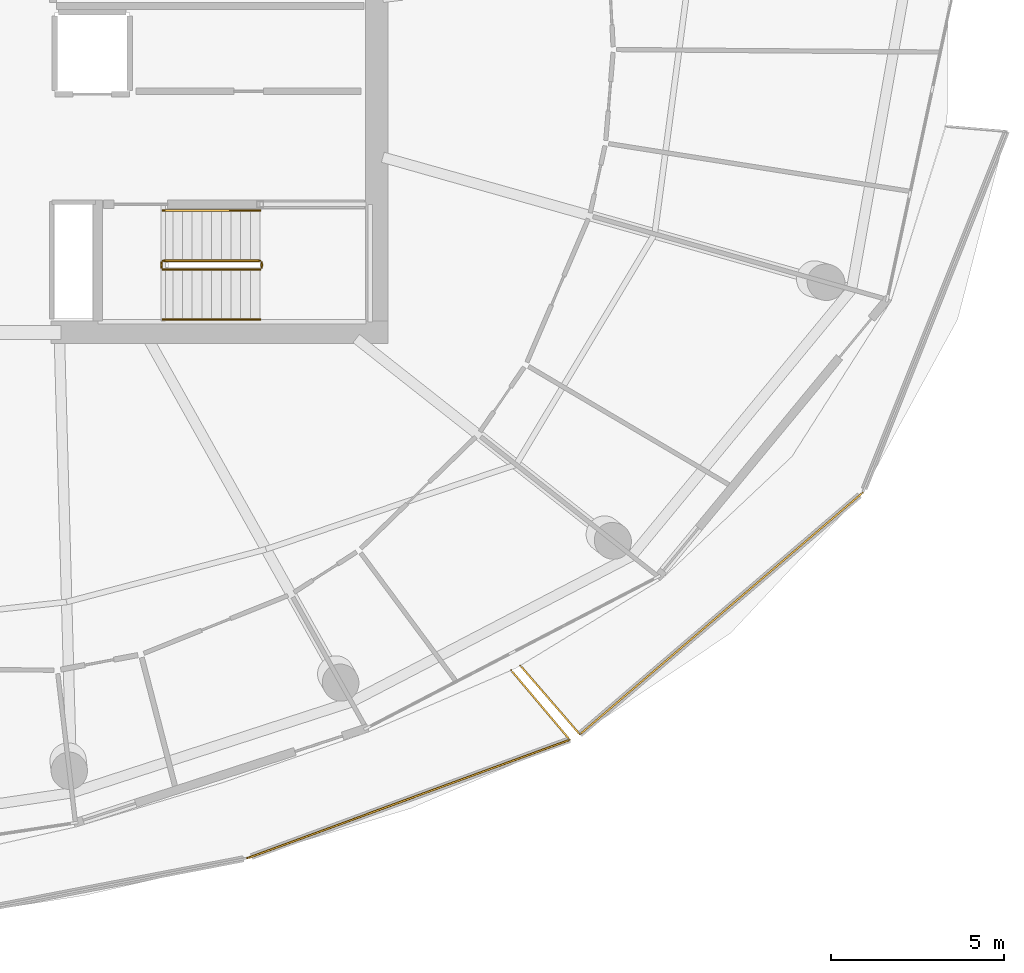
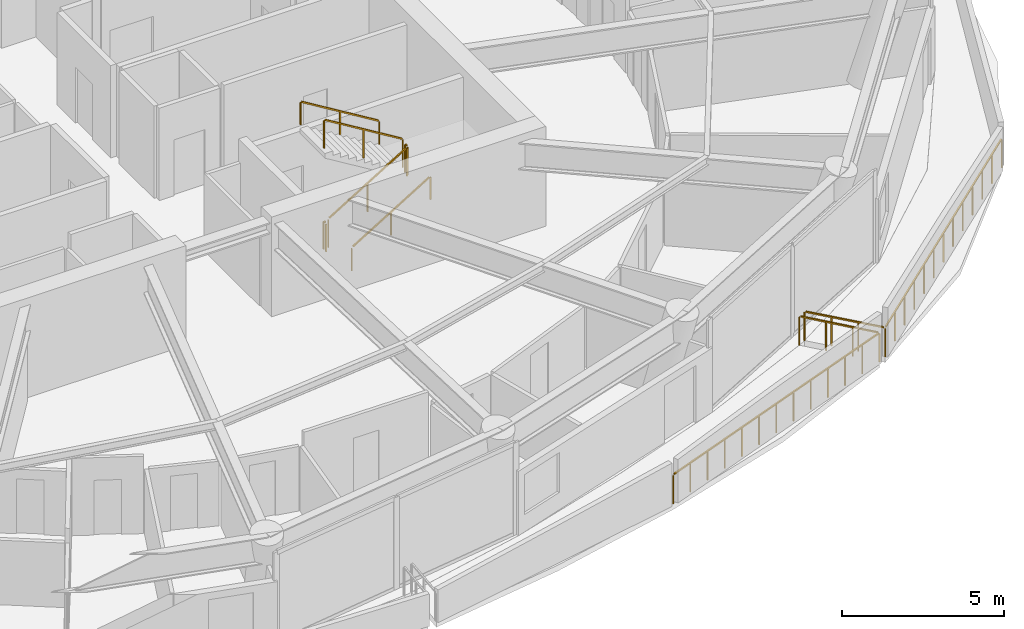
# One storey, part 18 of 20: 10 railings.
"""IFC4 building model written with IfcOpenShell, lengths in metres."""

from ifc_helpers import new_model, si_unit, direction, frame, origin, origin_2d, place, context, subcontext, project, spatial, rectangle, extrude, material, type_object, element, save


model = new_model("IFC4")

# Units and contexts
model_context = context("Model", 3, precision=1e-05, world=origin(), true_north=direction((0.0, 1.0)))
body_context = subcontext(model_context, "Body", "Model", "MODEL_VIEW")
ifc_project = project(units=[si_unit("LENGTHUNIT", "METRE"), si_unit("AREAUNIT", "SQUARE_METRE"), si_unit("VOLUMEUNIT", "CUBIC_METRE"), si_unit("PLANEANGLEUNIT", "RADIAN"), si_unit("MASSUNIT", "GRAM", prefix="KILO")], contexts=[model_context])

# Site, building, storey
site_placement = place(None, origin())
site = spatial("IfcSite", under=ifc_project, at=site_placement, CompositionType="ELEMENT")
building_placement = place(site_placement, origin())
building = spatial("IfcBuilding", under=site, at=building_placement, Name="Kazma Halo Residences", CompositionType="ELEMENT")
storey_placement = place(building_placement, frame((0.0, 0.0, 221.550048828125)))
storey = spatial("IfcBuildingStorey", under=building, at=storey_placement, Name="L56", CompositionType="ELEMENT", Elevation=221.550048828125)

# Railings
ifc_material_1 = material(Name="Aluminium AW-6063 T6 Brushed Cap Rail", Category="aluminium")
railing_type_1 = type_object("IfcRailingType", Name="RLG-BAL-CAP-1120", PredefinedType="BALUSTRADE", material=ifc_material_1)
railing_1_placement = place(storey_placement, frame((55.64306640625, 18.476806640625, 0.0)))
element("IfcRailing", 1, at=railing_1_placement, inside=storey, type_object=railing_type_1, Name="L56 SSE wave balcony guard 3", PredefinedType="BALUSTRADE", context=body_context, shape_type="SweptSolid", body=[
    extrude(rectangle(XDim=0.050048828125, YDim=0.050048828125, at=origin_2d()), frame((0.0400390625, 0.0146484375, 1.09521484375), z_axis=(0.938664070995, 0.344832947706, 0.0), x_axis=(-0.344832947706, 0.938664070995, 0.0)), (0.0, 0.0, 1.0), 9.83740234375),
    extrude(rectangle(XDim=0.0400390625, YDim=0.0400390625, at=origin_2d()), origin(), (0.0, 0.0, 1.0), 1.05810546875),
    extrude(rectangle(XDim=0.0400390625, YDim=0.0400390625, at=origin_2d()), frame((0.776123046875, 0.28515625, 0.0)), (0.0, 0.0, 1.0), 1.05810546875),
    extrude(rectangle(XDim=0.0400390625, YDim=0.0400390625, at=origin_2d()), frame((1.55224609375, 0.5703125, 0.0)), (0.0, 0.0, 1.0), 1.05810546875),
    extrude(rectangle(XDim=0.0400390625, YDim=0.0400390625, at=origin_2d()), frame((2.32861328125, 0.85546875, 0.0)), (0.0, 0.0, 1.0), 1.05810546875),
    extrude(rectangle(XDim=0.0400390625, YDim=0.0400390625, at=origin_2d()), frame((3.104736328125, 1.140625, 0.0)), (0.0, 0.0, 1.0), 1.05810546875),
    extrude(rectangle(XDim=0.0400390625, YDim=0.0400390625, at=origin_2d()), frame((3.880859375, 1.42578125, 0.0)), (0.0, 0.0, 1.0), 1.05810546875),
    extrude(rectangle(XDim=0.0400390625, YDim=0.0400390625, at=origin_2d()), frame((4.656982421875, 1.7109375, 0.0)), (0.0, 0.0, 1.0), 1.05810546875),
    extrude(rectangle(XDim=0.0400390625, YDim=0.0400390625, at=origin_2d()), frame((5.43310546875, 1.995849609375, 0.0)), (0.0, 0.0, 1.0), 1.05810546875),
    extrude(rectangle(XDim=0.0400390625, YDim=0.0400390625, at=origin_2d()), frame((6.209228515625, 2.281005859375, 0.0)), (0.0, 0.0, 1.0), 1.05810546875),
    extrude(rectangle(XDim=0.0400390625, YDim=0.0400390625, at=origin_2d()), frame((6.9853515625, 2.566162109375, 0.0)), (0.0, 0.0, 1.0), 1.05810546875),
    extrude(rectangle(XDim=0.0400390625, YDim=0.0400390625, at=origin_2d()), frame((7.76171875, 2.851318359375, 0.0)), (0.0, 0.0, 1.0), 1.05810546875),
    extrude(rectangle(XDim=0.0400390625, YDim=0.0400390625, at=origin_2d()), frame((8.537841796875, 3.136474609375, 0.0)), (0.0, 0.0, 1.0), 1.05810546875),
    extrude(rectangle(XDim=0.0400390625, YDim=0.0400390625, at=origin_2d()), frame((9.31396484375, 3.421630859375, 0.0)), (0.0, 0.0, 1.0), 1.05810546875),
])
railing_2_placement = place(storey_placement, frame((64.95703125, 21.8984375, 0.0)))
element("IfcRailing", 2, at=railing_2_placement, inside=storey, type_object=railing_type_1, Name="L56 SSE wave balcony guard 4", PredefinedType="BALUSTRADE", context=body_context, shape_type="SweptSolid", body=[
    extrude(rectangle(XDim=0.050048828125, YDim=0.050048828125, at=origin_2d()), frame((-0.02734375, 0.032470703125, 1.09521484375), z_axis=(-0.644757158035, 0.764387471877, 0.0), x_axis=(-0.764387471877, -0.644757158035, 0.0)), (0.0, 0.0, 1.0), 2.539306640625),
    extrude(rectangle(XDim=0.0400390625, YDim=0.0400390625, at=origin_2d()), origin(), (0.0, 0.0, 1.0), 1.05810546875),
    extrude(rectangle(XDim=0.0400390625, YDim=0.0400390625, at=origin_2d()), frame((-0.56396484375, 0.668701171875, 0.0)), (0.0, 0.0, 1.0), 1.05810546875),
    extrude(rectangle(XDim=0.0400390625, YDim=0.0400390625, at=origin_2d()), frame((-1.128173828125, 1.33740234375, 0.0)), (0.0, 0.0, 1.0), 1.05810546875),
    extrude(rectangle(XDim=0.0400390625, YDim=0.0400390625, at=origin_2d()), frame((-1.692138671875, 2.006103515625, 0.0)), (0.0, 0.0, 1.0), 1.05810546875),
])
railing_3_placement = place(storey_placement, frame((63.528564453125, 24.041748046875, 0.0)))
element("IfcRailing", 3, at=railing_3_placement, inside=storey, type_object=railing_type_1, Name="L56 SE wave balcony guard 1", PredefinedType="BALUSTRADE", context=body_context, shape_type="SweptSolid", body=[
    extrude(rectangle(XDim=0.050048828125, YDim=0.050048828125, at=origin_2d()), frame((0.02783203125, -0.0322265625, 1.09521484375), z_axis=(0.654088758008, -0.756417805612, 0.0), x_axis=(0.756417805612, 0.654088758008, 0.0)), (0.0, 0.0, 1.0), 2.544189453125),
    extrude(rectangle(XDim=0.0400390625, YDim=0.0400390625, at=origin_2d()), origin(), (0.0, 0.0, 1.0), 1.05810546875),
    extrude(rectangle(XDim=0.0400390625, YDim=0.0400390625, at=origin_2d()), frame((0.5732421875, -0.662841796875, 0.0)), (0.0, 0.0, 1.0), 1.05810546875),
    extrude(rectangle(XDim=0.0400390625, YDim=0.0400390625, at=origin_2d()), frame((1.146484375, -1.325927734375, 0.0)), (0.0, 0.0, 1.0), 1.05810546875),
    extrude(rectangle(XDim=0.0400390625, YDim=0.0400390625, at=origin_2d()), frame((1.7197265625, -1.98876953125, 0.0)), (0.0, 0.0, 1.0), 1.05810546875),
])
railing_4_placement = place(storey_placement, frame((65.248291015625, 22.052978515625, 0.0)))
element("IfcRailing", 4, at=railing_4_placement, inside=storey, type_object=railing_type_1, Name="L56 SE wave balcony guard 2", PredefinedType="BALUSTRADE", context=body_context, shape_type="SweptSolid", body=[
    extrude(rectangle(XDim=0.050048828125, YDim=0.050048828125, at=origin_2d()), frame((0.0322265625, 0.027587890625, 1.09521484375), z_axis=(0.760234299522, 0.64964898971, 0.0), x_axis=(-0.64964898971, 0.760234299522, 0.0)), (0.0, 0.0, 1.0), 10.67529296875),
    extrude(rectangle(XDim=0.0400390625, YDim=0.0400390625, at=origin_2d()), origin(), (0.0, 0.0, 1.0), 1.05810546875),
    extrude(rectangle(XDim=0.0400390625, YDim=0.0400390625, at=origin_2d()), frame((0.681640625, 0.58251953125, 0.0)), (0.0, 0.0, 1.0), 1.05810546875),
    extrude(rectangle(XDim=0.0400390625, YDim=0.0400390625, at=origin_2d()), frame((1.36328125, 1.1650390625, 0.0)), (0.0, 0.0, 1.0), 1.05810546875),
    extrude(rectangle(XDim=0.0400390625, YDim=0.0400390625, at=origin_2d()), frame((2.045166015625, 1.74755859375, 0.0)), (0.0, 0.0, 1.0), 1.05810546875),
    extrude(rectangle(XDim=0.0400390625, YDim=0.0400390625, at=origin_2d()), frame((2.726806640625, 2.330078125, 0.0)), (0.0, 0.0, 1.0), 1.05810546875),
    extrude(rectangle(XDim=0.0400390625, YDim=0.0400390625, at=origin_2d()), frame((3.408447265625, 2.91259765625, 0.0)), (0.0, 0.0, 1.0), 1.05810546875),
    extrude(rectangle(XDim=0.0400390625, YDim=0.0400390625, at=origin_2d()), frame((4.09033203125, 3.4951171875, 0.0)), (0.0, 0.0, 1.0), 1.05810546875),
    extrude(rectangle(XDim=0.0400390625, YDim=0.0400390625, at=origin_2d()), frame((4.77197265625, 4.077880859375, 0.0)), (0.0, 0.0, 1.0), 1.05810546875),
    extrude(rectangle(XDim=0.0400390625, YDim=0.0400390625, at=origin_2d()), frame((5.45361328125, 4.660400390625, 0.0)), (0.0, 0.0, 1.0), 1.05810546875),
    extrude(rectangle(XDim=0.0400390625, YDim=0.0400390625, at=origin_2d()), frame((6.13525390625, 5.242919921875, 0.0)), (0.0, 0.0, 1.0), 1.05810546875),
    extrude(rectangle(XDim=0.0400390625, YDim=0.0400390625, at=origin_2d()), frame((6.81689453125, 5.825439453125, 0.0)), (0.0, 0.0, 1.0), 1.05810546875),
    extrude(rectangle(XDim=0.0400390625, YDim=0.0400390625, at=origin_2d()), frame((7.498779296875, 6.407958984375, 0.0)), (0.0, 0.0, 1.0), 1.05810546875),
    extrude(rectangle(XDim=0.0400390625, YDim=0.0400390625, at=origin_2d()), frame((8.180419921875, 6.990478515625, 0.0)), (0.0, 0.0, 1.0), 1.05810546875),
])
ifc_material_2 = material(Name="Painted Steel S355", Category="steel")
railing_type_2 = type_object("IfcRailingType", Name="RLG-STAIR-GRD-1100", PredefinedType="GUARDRAIL", material=ifc_material_2)
railing_5_placement = place(storey_placement, frame((53.199951171875, 35.5, 0.17041015625)))
element("IfcRailing", 5, at=railing_5_placement, inside=storey, type_object=railing_type_2, Name="L56 ST-03 stair guard 1", PredefinedType="GUARDRAIL", context=body_context, shape_type="SweptSolid", body=[
    extrude(rectangle(XDim=0.050048828125, YDim=0.050048828125, at=origin_2d()), frame((0.036376953125, 0.0, 1.09716796875), z_axis=(0.854169791009, 0.0, 0.51999420009), x_axis=(0.0, 1.0, 0.0)), (0.0, 0.0, 1.0), 3.193115234375),
    extrude(rectangle(XDim=0.0400390625, YDim=0.0400390625, at=origin_2d()), origin(), (0.0, 0.0, 1.0), 1.0380859375),
    extrude(rectangle(XDim=0.0400390625, YDim=0.0400390625, at=origin_2d()), frame((1.39990234375, 0.0, 0.852294921875)), (0.0, 0.0, 1.0), 1.0380859375),
    extrude(rectangle(XDim=0.0400390625, YDim=0.0400390625, at=origin_2d()), frame((2.800048828125, 0.0, 1.70458984375)), (0.0, 0.0, 1.0), 1.0380859375),
])
railing_6_placement = place(storey_placement, frame((56.050048828125, 35.550048828125, 1.875)))
element("IfcRailing", 6, at=railing_6_placement, inside=storey, type_object=railing_type_2, Name="L56 ST-03 stair guard 2", PredefinedType="GUARDRAIL", context=body_context, shape_type="SweptSolid", body=[
    extrude(rectangle(XDim=0.050048828125, YDim=0.050048828125, at=origin_2d()), frame((0.0, 0.04248046875, 1.0751953125), z_axis=(0.0, 1.0, 0.0), x_axis=(-1.0, 0.0, 0.0)), (0.0, 0.0, 1.0), 0.06494140625),
    extrude(rectangle(XDim=0.0400390625, YDim=0.0400390625, at=origin_2d()), origin(), (0.0, 0.0, 1.0), 1.0380859375),
    extrude(rectangle(XDim=0.0400390625, YDim=0.0400390625, at=origin_2d()), frame((0.0, 0.14990234375, 0.0)), (0.0, 0.0, 1.0), 1.0380859375),
])
railing_7_placement = place(storey_placement, frame((56.0, 35.75, 2.04541015625)))
element("IfcRailing", 7, at=railing_7_placement, inside=storey, type_object=railing_type_2, Name="L56 ST-03 stair guard 3", PredefinedType="GUARDRAIL", context=body_context, shape_type="SweptSolid", body=[
    extrude(rectangle(XDim=0.050048828125, YDim=0.050048828125, at=origin_2d()), frame((-0.036376953125, 0.0, 1.09716796875), z_axis=(-0.854169791009, 0.0, 0.51999420009), x_axis=(0.0, -1.0, 0.0)), (0.0, 0.0, 1.0), 3.193115234375),
    extrude(rectangle(XDim=0.0400390625, YDim=0.0400390625, at=origin_2d()), origin(), (0.0, 0.0, 1.0), 1.0380859375),
    extrude(rectangle(XDim=0.0400390625, YDim=0.0400390625, at=origin_2d()), frame((-1.39990234375, 0.0, 0.852294921875)), (0.0, 0.0, 1.0), 1.0380859375),
    extrude(rectangle(XDim=0.0400390625, YDim=0.0400390625, at=origin_2d()), frame((-2.800048828125, 0.0, 1.70458984375)), (0.0, 0.0, 1.0), 1.0380859375),
])
railing_8_placement = place(storey_placement, frame((53.14990234375, 35.550048828125, 0.0)))
element("IfcRailing", 8, at=railing_8_placement, inside=storey, type_object=railing_type_2, Name="L56 ST-03 stair guard 4", PredefinedType="GUARDRAIL", context=body_context, shape_type="SweptSolid", body=[
    extrude(rectangle(XDim=0.050048828125, YDim=0.050048828125, at=origin_2d()), frame((0.0, 0.04248046875, 1.0751953125), z_axis=(0.0, 1.0, 0.0), x_axis=(-1.0, 0.0, 0.0)), (0.0, 0.0, 1.0), 0.06494140625),
    extrude(rectangle(XDim=0.0400390625, YDim=0.0400390625, at=origin_2d()), origin(), (0.0, 0.0, 1.0), 1.0380859375),
    extrude(rectangle(XDim=0.0400390625, YDim=0.0400390625, at=origin_2d()), frame((0.0, 0.14990234375, 0.0)), (0.0, 0.0, 1.0), 1.0380859375),
])
ifc_material_3 = material(Name="Brushed Stainless Steel", Category="steel")
railing_type_3 = type_object("IfcRailingType", Name="RLG-STAIR-HND-900", PredefinedType="HANDRAIL", material=ifc_material_3)
railing_9_placement = place(storey_placement, frame((53.199951171875, 34.050048828125, 0.17041015625)))
element("IfcRailing", 9, at=railing_9_placement, inside=storey, type_object=railing_type_3, Name="L56 ST-03 stair handrail 1", PredefinedType="HANDRAIL", context=body_context, shape_type="SweptSolid", body=[
    extrude(rectangle(XDim=0.050048828125, YDim=0.050048828125, at=origin_2d()), frame((0.036376953125, 0.0, 0.89697265625), z_axis=(0.854169791009, 0.0, 0.51999420009), x_axis=(0.0, 1.0, 0.0)), (0.0, 0.0, 1.0), 3.193115234375),
    extrude(rectangle(XDim=0.0400390625, YDim=0.0400390625, at=origin_2d()), origin(), (0.0, 0.0, 1.0), 0.837890625),
    extrude(rectangle(XDim=0.0400390625, YDim=0.0400390625, at=origin_2d()), frame((1.39990234375, 0.0, 0.852294921875)), (0.0, 0.0, 1.0), 0.837890625),
    extrude(rectangle(XDim=0.0400390625, YDim=0.0400390625, at=origin_2d()), frame((2.800048828125, 0.0, 1.70458984375)), (0.0, 0.0, 1.0), 0.837890625),
])
railing_10_placement = place(storey_placement, frame((56.0, 37.199951171875, 2.04541015625)))
element("IfcRailing", 10, at=railing_10_placement, inside=storey, type_object=railing_type_3, Name="L56 ST-03 stair handrail 2", PredefinedType="HANDRAIL", context=body_context, shape_type="SweptSolid", body=[
    extrude(rectangle(XDim=0.050048828125, YDim=0.050048828125, at=origin_2d()), frame((-0.036376953125, 0.0, 0.89697265625), z_axis=(-0.854169791009, 0.0, 0.51999420009), x_axis=(0.0, -1.0, 0.0)), (0.0, 0.0, 1.0), 3.193115234375),
    extrude(rectangle(XDim=0.0400390625, YDim=0.0400390625, at=origin_2d()), origin(), (0.0, 0.0, 1.0), 0.837890625),
    extrude(rectangle(XDim=0.0400390625, YDim=0.0400390625, at=origin_2d()), frame((-1.39990234375, 0.0, 0.852294921875)), (0.0, 0.0, 1.0), 0.837890625),
    extrude(rectangle(XDim=0.0400390625, YDim=0.0400390625, at=origin_2d()), frame((-2.800048828125, 0.0, 1.70458984375)), (0.0, 0.0, 1.0), 0.837890625),
])

save(model, "model.ifc")
